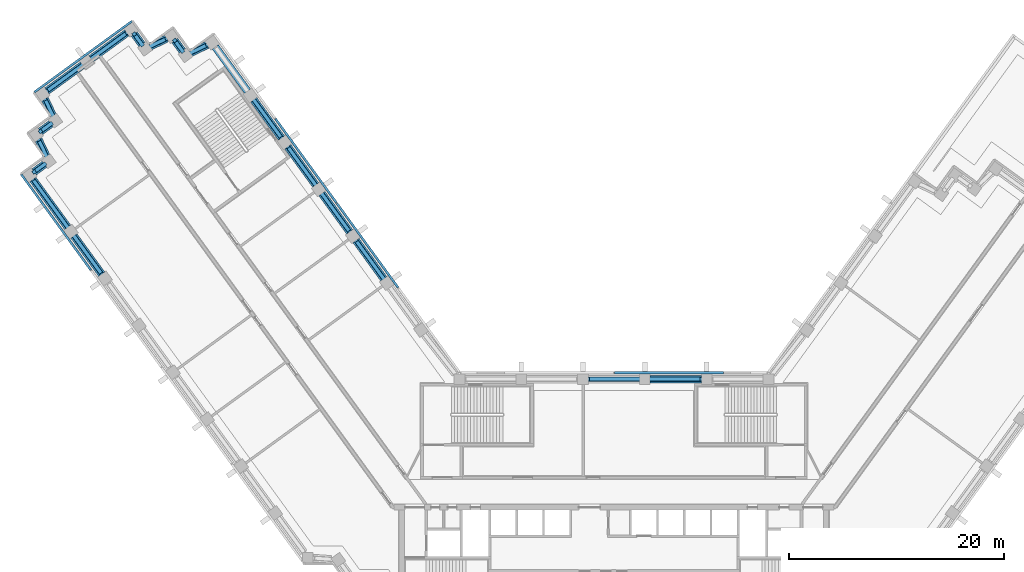
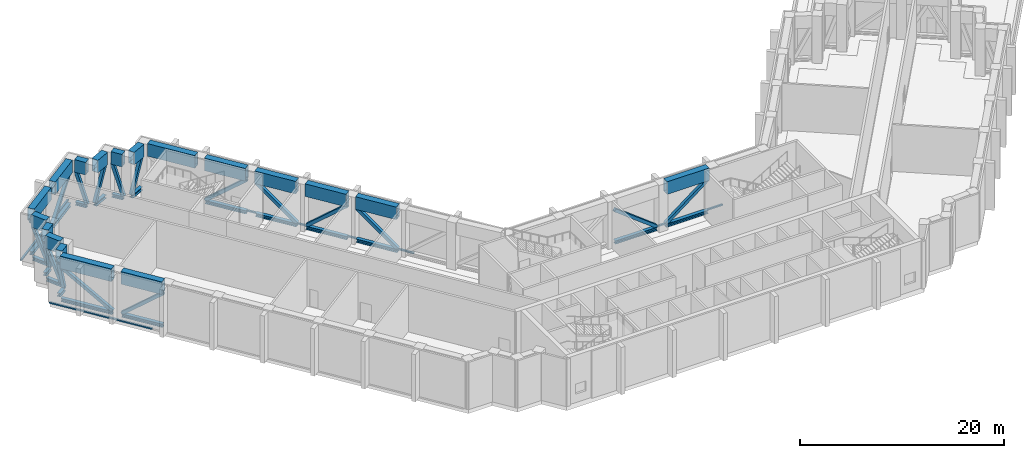
"""IFC4 building model written with IfcOpenShell, lengths in metres."""

from ifc_helpers import new_model, si_unit, direction, frame, origin, origin_2d, place, context, subcontext, project, spatial, rectangle, hollow_rectangle, i_section, extrude, material, material_profile, profile_set, type_object, element, aggregate, save


model = new_model("IFC4")

# Units and contexts
model_context = context("Model", 3, precision=1e-05, world=origin(), true_north=direction((0.0, 1.0)))
body_context = subcontext(model_context, "Body", "Model", "MODEL_VIEW")
ifc_project = project(units=[si_unit("LENGTHUNIT", "METRE"), si_unit("AREAUNIT", "SQUARE_METRE"), si_unit("VOLUMEUNIT", "CUBIC_METRE"), si_unit("PLANEANGLEUNIT", "RADIAN"), si_unit("MASSUNIT", "GRAM", prefix="KILO")], contexts=[model_context])

# Site, building, storey
site_placement = place(None, origin())
site = spatial("IfcSite", under=ifc_project, at=site_placement, CompositionType="ELEMENT")
building_placement = place(site_placement, origin())
building = spatial("IfcBuilding", under=site, at=building_placement, Name="Quipu Civic Tower", CompositionType="ELEMENT")
storey_1_placement = place(building_placement, frame((0.0, 0.0, 79.0)))
storey_1 = spatial("IfcBuildingStorey", under=building, at=storey_1_placement, Name="L18", CompositionType="ELEMENT", Elevation=79.0)

# Beams
ifc_material_1 = material(Name="Steel ASTM A992 Grade 50 (fy 345 MPa)", Category="steel")
ifc_material_profile_1 = material_profile(ifc_material_1, i_section(OverallWidth=0.403564453125, OverallDepth=0.407470703125, WebThickness=0.027099609375, FlangeThickness=0.043701171875, at=origin_2d()), Name="W360x347")
ifc_profile_set_1 = profile_set([ifc_material_profile_1], Name="Steel ASTM A992 Grade 50 (fy 345 MPa)")
beam_type_1 = type_object("IfcBeamType", Name="Belt truss bottom chord W360x347", PredefinedType="BEAM", material=ifc_profile_set_1)
for number, where, z_axis, x_axis, name in (
    (1, (-21.441162109375, 19.848388671875, 0.3037109375), (-0.587759228046, 0.809035901457, 0.0), (-0.809035901457, -0.587759228046, 0.0), "Truss bottom chord L18 W-IN-02 to W-IN-03"),
    (2, (-24.615234375, 24.217041015625, 0.3037109375), (-0.587732844487, 0.809055068281, 0.0), (-0.809055068281, -0.587732844487, 0.0), "Truss bottom chord L18 W-IN-03 to W-IN-04"),
    (3, (-27.7890625, 28.5859375, 0.3037109375), (-0.587759228046, 0.809035901457, 0.0), (-0.809035901457, -0.587759228046, 0.0), "Truss bottom chord L18 W-IN-04 to W-IN-05"),
    (4, (-30.962890625, 32.954833984375, 0.3037109375), (-0.587759228046, 0.809035901457, 0.0), (-0.809035901457, -0.587759228046, 0.0), "Truss bottom chord L18 W-IN-05 to W-IN-06"),
):
    element("IfcBeam", number, at=place(storey_1_placement, frame(where, z_axis=z_axis, x_axis=x_axis)), inside=storey_1, type_object=beam_type_1, Name=name, PredefinedType="BEAM", context=body_context, shape_type="SweptSolid", body=[
        extrude(i_section(OverallWidth=0.403564453125, OverallDepth=0.407470703125, WebThickness=0.027099609375, FlangeThickness=0.043701171875, at=origin_2d()), origin(), (0.0, 0.0, 1.0), 4.400146484375),
    ])
beam_1_placement = place(storey_1_placement, frame((-37.8837890625, 41.630859375, 0.3037109375), z_axis=(-0.902482283387, -0.43072697637, 0.0), x_axis=(0.43072697637, -0.902482283387, 0.0)))
element("IfcBeam", 5, at=beam_1_placement, inside=storey_1, type_object=beam_type_1, Name="Truss bottom chord L18 T-Wi.0-W50 to T-Wi.1-W50", PredefinedType="BEAM", context=body_context, shape_type="SweptSolid", body=[
    extrude(i_section(OverallWidth=0.403564453125, OverallDepth=0.407470703125, WebThickness=0.027099609375, FlangeThickness=0.043701171875, at=origin_2d()), origin(), (0.0, 0.0, 1.0), 1.731689453125),
])
beam_2_placement = place(storey_1_placement, frame((-40.19970703125, 41.0703125, 0.3037109375), z_axis=(-0.588316837584, 0.808630508091, 0.0), x_axis=(-0.808630508091, -0.588316837584, 0.0)))
element("IfcBeam", 6, at=beam_2_placement, inside=storey_1, type_object=beam_type_1, Name="Truss bottom chord L18 T-Wi.1-W50 to T-Wi.2-W50", PredefinedType="BEAM", context=body_context, shape_type="SweptSolid", body=[
    extrude(i_section(OverallWidth=0.403564453125, OverallDepth=0.407470703125, WebThickness=0.027099609375, FlangeThickness=0.043701171875, at=origin_2d()), origin(), (0.0, 0.0, 1.0), 1.2001953125),
])
beam_3_placement = place(storey_1_placement, frame((-41.658935546875, 42.22607421875, 0.3037109375), z_axis=(-0.902651065962, -0.430373155666, 0.0), x_axis=(0.430373155666, -0.902651065962, 0.0)))
element("IfcBeam", 7, at=beam_3_placement, inside=storey_1, type_object=beam_type_1, Name="Truss bottom chord L18 T-Wi.2-W50 to T-Wi.3-W50", PredefinedType="BEAM", context=body_context, shape_type="SweptSolid", body=[
    extrude(i_section(OverallWidth=0.403564453125, OverallDepth=0.407470703125, WebThickness=0.027099609375, FlangeThickness=0.043701171875, at=origin_2d()), origin(), (0.0, 0.0, 1.0), 1.724609375),
])
beam_4_placement = place(storey_1_placement, frame((-43.96875, 41.669189453125, 0.3037109375), z_axis=(-0.588461629015, 0.808525145667, 0.0), x_axis=(-0.808525145667, -0.588461629015, 0.0)))
element("IfcBeam", 8, at=beam_4_placement, inside=storey_1, type_object=beam_type_1, Name="Truss bottom chord L18 T-Wi.3-W50 to T-Wi.4-W50", PredefinedType="BEAM", context=body_context, shape_type="SweptSolid", body=[
    extrude(i_section(OverallWidth=0.403564453125, OverallDepth=0.407470703125, WebThickness=0.027099609375, FlangeThickness=0.043701171875, at=origin_2d()), origin(), (0.0, 0.0, 1.0), 1.201416015625),
])
beam_5_placement = place(storey_1_placement, frame((-45.37451171875, 42.7509765625, 0.3037109375), z_axis=(-0.808983206573, -0.587831754401, 0.0), x_axis=(0.587831754401, -0.808983206573, 0.0)))
element("IfcBeam", 9, at=beam_5_placement, inside=storey_1, type_object=beam_type_1, Name="Truss bottom chord L18 T-Wi.4-W50 to TIP-W-01-W50", PredefinedType="BEAM", context=body_context, shape_type="SweptSolid", body=[
    extrude(i_section(OverallWidth=0.403564453125, OverallDepth=0.407470703125, WebThickness=0.027099609375, FlangeThickness=0.043701171875, at=origin_2d()), origin(), (0.0, 0.0, 1.0), 4.10009765625),
])
beam_6_placement = place(storey_1_placement, frame((-49.500244140625, 39.7529296875, 0.3037109375), z_axis=(-0.808980758408, -0.587835123589, 0.0), x_axis=(0.587835123589, -0.808980758408, 0.0)))
element("IfcBeam", 10, at=beam_6_placement, inside=storey_1, type_object=beam_type_1, Name="Truss bottom chord L18 TIP-W-01-W50 to T-Wo.0-W50", PredefinedType="BEAM", context=body_context, shape_type="SweptSolid", body=[
    extrude(i_section(OverallWidth=0.403564453125, OverallDepth=0.407470703125, WebThickness=0.027099609375, FlangeThickness=0.043701171875, at=origin_2d()), origin(), (0.0, 0.0, 1.0), 4.097900390625),
])
beam_7_placement = place(storey_1_placement, frame((-53.001220703125, 36.5908203125, 0.3037109375), z_axis=(0.430185740912, -0.902740399182, 0.0), x_axis=(0.902740399182, 0.430185740912, 0.0)))
element("IfcBeam", 11, at=beam_7_placement, inside=storey_1, type_object=beam_type_1, Name="Truss bottom chord L18 T-Wo.0-W50 to T-Wo.1-W50", PredefinedType="BEAM", context=body_context, shape_type="SweptSolid", body=[
    extrude(i_section(OverallWidth=0.403564453125, OverallDepth=0.407470703125, WebThickness=0.027099609375, FlangeThickness=0.043701171875, at=origin_2d()), origin(), (0.0, 0.0, 1.0), 1.728759765625),
])
beam_8_placement = place(storey_1_placement, frame((-52.443115234375, 34.27685546875, 0.3037109375), z_axis=(-0.808586856323, -0.588376831446, 0.0), x_axis=(0.588376831446, -0.808586856323, 0.0)))
element("IfcBeam", 12, at=beam_8_placement, inside=storey_1, type_object=beam_type_1, Name="Truss bottom chord L18 T-Wo.1-W50 to T-Wo.2-W50", PredefinedType="BEAM", context=body_context, shape_type="SweptSolid", body=[
    extrude(i_section(OverallWidth=0.403564453125, OverallDepth=0.407470703125, WebThickness=0.027099609375, FlangeThickness=0.043701171875, at=origin_2d()), origin(), (0.0, 0.0, 1.0), 1.202880859375),
])
beam_9_placement = place(storey_1_placement, frame((-53.6005859375, 32.81640625, 0.3037109375), z_axis=(0.431370473785, -0.902174880135, 0.0), x_axis=(0.902174880135, 0.431370473785, 0.0)))
element("IfcBeam", 13, at=beam_9_placement, inside=storey_1, type_object=beam_type_1, Name="Truss bottom chord L18 T-Wo.2-W50 to T-Wo.3-W50", PredefinedType="BEAM", context=body_context, shape_type="SweptSolid", body=[
    extrude(i_section(OverallWidth=0.403564453125, OverallDepth=0.407470703125, WebThickness=0.027099609375, FlangeThickness=0.043701171875, at=origin_2d()), origin(), (0.0, 0.0, 1.0), 1.727294921875),
])
beam_10_placement = place(storey_1_placement, frame((-53.040283203125, 30.50537109375, 0.3037109375), z_axis=(-0.808630508091, -0.588316837584, 0.0), x_axis=(0.588316837584, -0.808630508091, 0.0)))
element("IfcBeam", 14, at=beam_10_placement, inside=storey_1, type_object=beam_type_1, Name="Truss bottom chord L18 T-Wo.3-W50 to T-Wo.4-W50", PredefinedType="BEAM", context=body_context, shape_type="SweptSolid", body=[
    extrude(i_section(OverallWidth=0.403564453125, OverallDepth=0.407470703125, WebThickness=0.027099609375, FlangeThickness=0.043701171875, at=origin_2d()), origin(), (0.0, 0.0, 1.0), 1.2001953125),
])
beam_11_placement = place(storey_1_placement, frame((-54.12109375, 29.1005859375, 0.3037109375), z_axis=(0.587765432916, -0.809031393624, 0.0), x_axis=(0.809031393624, 0.587765432916, 0.0)))
element("IfcBeam", 15, at=beam_11_placement, inside=storey_1, type_object=beam_type_1, Name="Truss bottom chord L18 T-Wo.4-W50 to W-OUT-07", PredefinedType="BEAM", context=body_context, shape_type="SweptSolid", body=[
    extrude(i_section(OverallWidth=0.403564453125, OverallDepth=0.407470703125, WebThickness=0.027099609375, FlangeThickness=0.043701171875, at=origin_2d()), origin(), (0.0, 0.0, 1.0), 5.503662109375),
])
beam_12_placement = place(storey_1_placement, frame((-50.298583984375, 23.839111328125, 0.3037109375), z_axis=(0.587759228046, -0.809035901457, 0.0), x_axis=(0.809035901457, 0.587759228046, 0.0)))
element("IfcBeam", 16, at=beam_12_placement, inside=storey_1, type_object=beam_type_1, Name="Truss bottom chord L18 W-OUT-07 to W-OUT-06", PredefinedType="BEAM", context=body_context, shape_type="SweptSolid", body=[
    extrude(i_section(OverallWidth=0.403564453125, OverallDepth=0.407470703125, WebThickness=0.027099609375, FlangeThickness=0.043701171875, at=origin_2d()), origin(), (0.0, 0.0, 1.0), 4.400146484375),
])
beam_13_placement = place(storey_1_placement, frame((8.13720703125, 10.5, 0.3037109375), z_axis=(-1.0, 0.0, 0.0), x_axis=(0.0, -1.0, 0.0)))
element("IfcBeam", 17, at=beam_13_placement, inside=storey_1, type_object=beam_type_1, Name="Truss bottom chord L18 FRONT-01 to FRONT-02", PredefinedType="BEAM", context=body_context, shape_type="SweptSolid", body=[
    extrude(i_section(OverallWidth=0.403564453125, OverallDepth=0.407470703125, WebThickness=0.027099609375, FlangeThickness=0.043701171875, at=origin_2d()), origin(), (0.0, 0.0, 1.0), 4.75830078125),
])
beam_14_placement = place(storey_1_placement, frame((2.37890625, 10.5, 0.3037109375), z_axis=(-1.0, 0.0, 0.0), x_axis=(0.0, -1.0, 0.0)))
element("IfcBeam", 18, at=beam_14_placement, inside=storey_1, type_object=beam_type_1, Name="Truss bottom chord L18 FRONT-02 to FRONT-03", PredefinedType="BEAM", context=body_context, shape_type="SweptSolid", body=[
    extrude(i_section(OverallWidth=0.403564453125, OverallDepth=0.407470703125, WebThickness=0.027099609375, FlangeThickness=0.043701171875, at=origin_2d()), origin(), (0.0, 0.0, 1.0), 4.7578125),
])

# Members
ifc_material_2 = material(Name="Steel ASTM A500 Grade C (fy 345 MPa)", Category="steel")
ifc_material_profile_2 = material_profile(ifc_material_2, hollow_rectangle(XDim=0.355712890625, YDim=0.355712890625, WallThickness=0.015869140625, at=origin_2d()), Name="HSS356x356x16")
ifc_profile_set_2 = profile_set([ifc_material_profile_2], Name="Steel ASTM A500 Grade C (fy 345 MPa)")
member_type_1 = type_object("IfcMemberType", Name="Belt truss diagonal HSS356x356x16", PredefinedType="BRACE", material=ifc_profile_set_2)
member_1_placement = place(storey_1_placement, frame((-21.441162109375, 19.848388671875, 0.50732421875), z_axis=(-0.452748698079, 0.623197278079, 0.637686262187), x_axis=(-0.809035901457, -0.587759228046, 0.0)))
element("IfcMember", 19, at=member_1_placement, inside=storey_1, type_object=member_type_1, Name="Truss diagonal L18 W-IN-02 to W-IN-03", PredefinedType="BRACE", context=body_context, shape_type="SweptSolid", body=[
    extrude(hollow_rectangle(XDim=0.355712890625, YDim=0.355712890625, WallThickness=0.015869140625, at=origin_2d()), origin(), (0.0, 0.0, 1.0), 5.712158203125),
])
member_2_placement = place(storey_1_placement, frame((-24.615234375, 24.217041015625, 4.14990234375), z_axis=(-0.452736638878, 0.623223418118, -0.637669277076), x_axis=(-0.809055068281, -0.587732844487, 0.0)))
element("IfcMember", 20, at=member_2_placement, inside=storey_1, type_object=member_type_1, Name="Truss diagonal L18 W-IN-03 to W-IN-04", PredefinedType="BRACE", context=body_context, shape_type="SweptSolid", body=[
    extrude(hollow_rectangle(XDim=0.355712890625, YDim=0.355712890625, WallThickness=0.015869140625, at=origin_2d()), origin(), (0.0, 0.0, 1.0), 5.71240234375),
])
for number, where, z_axis, x_axis, name in (
    (21, (-27.7890625, 28.5859375, 0.50732421875), (-0.452748698079, 0.623197278079, 0.637686262187), (-0.809035901457, -0.587759228046, 0.0), "Truss diagonal L18 W-IN-04 to W-IN-05"),
    (22, (-30.962890625, 32.954833984375, 4.14990234375), (-0.452748698079, 0.623197278079, -0.637686262187), (-0.809035901457, -0.587759228046, 0.0), "Truss diagonal L18 W-IN-05 to W-IN-06"),
):
    element("IfcMember", number, at=place(storey_1_placement, frame(where, z_axis=z_axis, x_axis=x_axis)), inside=storey_1, type_object=member_type_1, Name=name, PredefinedType="BRACE", context=body_context, shape_type="SweptSolid", body=[
        extrude(hollow_rectangle(XDim=0.355712890625, YDim=0.355712890625, WallThickness=0.015869140625, at=origin_2d()), origin(), (0.0, 0.0, 1.0), 5.712158203125),
    ])
member_3_placement = place(storey_1_placement, frame((-37.876220703125, 41.634521484375, 4.14990234375), z_axis=(-0.39057086608, -0.186403329495, -0.901503298564), x_axis=(0.430719248518, -0.902485971612, 0.0)))
element("IfcMember", 23, at=member_3_placement, inside=storey_1, type_object=member_type_1, Name="Truss diagonal L18 T-Wi.0-W50 to T-Wi.1-W50", PredefinedType="BRACE", context=body_context, shape_type="SweptSolid", body=[
    extrude(hollow_rectangle(XDim=0.355712890625, YDim=0.355712890625, WallThickness=0.015869140625, at=origin_2d()), origin(), (0.0, 0.0, 1.0), 4.04052734375),
])
member_4_placement = place(storey_1_placement, frame((-40.19970703125, 41.0703125, 0.50732421875), z_axis=(-0.18409903065, 0.253040680095, 0.949777848305), x_axis=(-0.808630508091, -0.588316837584, 0.0)))
element("IfcMember", 24, at=member_4_placement, inside=storey_1, type_object=member_type_1, Name="Truss diagonal L18 T-Wi.1-W50 to T-Wi.2-W50", PredefinedType="BRACE", context=body_context, shape_type="SweptSolid", body=[
    extrude(hollow_rectangle(XDim=0.355712890625, YDim=0.355712890625, WallThickness=0.015869140625, at=origin_2d()), origin(), (0.0, 0.0, 1.0), 3.835205078125),
])
member_5_placement = place(storey_1_placement, frame((-41.6513671875, 42.229736328125, 4.14990234375), z_axis=(-0.389355303619, -0.185637642819, -0.902186850443), x_axis=(0.430368856287, -0.902653115841, 0.0)))
element("IfcMember", 25, at=member_5_placement, inside=storey_1, type_object=member_type_1, Name="Truss diagonal L18 T-Wi.2-W50 to T-Wi.3-W50", PredefinedType="BRACE", context=body_context, shape_type="SweptSolid", body=[
    extrude(hollow_rectangle(XDim=0.355712890625, YDim=0.355712890625, WallThickness=0.015869140625, at=origin_2d()), origin(), (0.0, 0.0, 1.0), 4.03759765625),
])
member_6_placement = place(storey_1_placement, frame((-43.96875, 41.669189453125, 0.50732421875), z_axis=(-0.184333133885, 0.25326710626, 0.949672084795), x_axis=(-0.808525145667, -0.588461629015, 0.0)))
element("IfcMember", 26, at=member_6_placement, inside=storey_1, type_object=member_type_1, Name="Truss diagonal L18 T-Wi.3-W50 to T-Wi.4-W50", PredefinedType="BRACE", context=body_context, shape_type="SweptSolid", body=[
    extrude(hollow_rectangle(XDim=0.355712890625, YDim=0.355712890625, WallThickness=0.015869140625, at=origin_2d()), origin(), (0.0, 0.0, 1.0), 3.835693359375),
])
member_7_placement = place(storey_1_placement, frame((-45.37451171875, 42.7509765625, 4.14990234375), z_axis=(-0.604783364024, -0.439453950364, -0.664166626766), x_axis=(0.587831754401, -0.808983206573, 0.0)))
element("IfcMember", 27, at=member_7_placement, inside=storey_1, type_object=member_type_1, Name="Truss diagonal L18 T-Wi.4-W50 to TIP-W-01-W50", PredefinedType="BRACE", context=body_context, shape_type="SweptSolid", body=[
    extrude(hollow_rectangle(XDim=0.355712890625, YDim=0.355712890625, WallThickness=0.015869140625, at=origin_2d()), origin(), (0.0, 0.0, 1.0), 5.484375),
])
member_8_placement = place(storey_1_placement, frame((-49.500244140625, 39.7529296875, 0.50732421875), z_axis=(-0.604644827513, -0.439357133299, 0.664356788165), x_axis=(0.587835123589, -0.808980758408, 0.0)))
element("IfcMember", 28, at=member_8_placement, inside=storey_1, type_object=member_type_1, Name="Truss diagonal L18 TIP-W-01-W50 to T-Wo.0-W50", PredefinedType="BRACE", context=body_context, shape_type="SweptSolid", body=[
    extrude(hollow_rectangle(XDim=0.355712890625, YDim=0.355712890625, WallThickness=0.015869140625, at=origin_2d()), origin(), (0.0, 0.0, 1.0), 5.48291015625),
])
member_9_placement = place(storey_1_placement, frame((-53.0048828125, 36.5986328125, 4.14990234375), z_axis=(0.185913430598, -0.390200620266, -0.901764754394), x_axis=(0.902767447415, 0.430128975875, 0.0)))
element("IfcMember", 29, at=member_9_placement, inside=storey_1, type_object=member_type_1, Name="Truss diagonal L18 T-Wo.0-W50 to T-Wo.1-W50", PredefinedType="BRACE", context=body_context, shape_type="SweptSolid", body=[
    extrude(hollow_rectangle(XDim=0.355712890625, YDim=0.355712890625, WallThickness=0.015869140625, at=origin_2d()), origin(), (0.0, 0.0, 1.0), 4.039306640625),
])
member_10_placement = place(storey_1_placement, frame((-52.443115234375, 34.27685546875, 0.50732421875), z_axis=(-0.253555982831, -0.184502709394, 0.949562064215), x_axis=(0.588376831446, -0.808586856323, 0.0)))
element("IfcMember", 30, at=member_10_placement, inside=storey_1, type_object=member_type_1, Name="Truss diagonal L18 T-Wo.1-W50 to T-Wo.2-W50", PredefinedType="BRACE", context=body_context, shape_type="SweptSolid", body=[
    extrude(hollow_rectangle(XDim=0.355712890625, YDim=0.355712890625, WallThickness=0.015869140625, at=origin_2d()), origin(), (0.0, 0.0, 1.0), 3.836181640625),
])
member_11_placement = place(storey_1_placement, frame((-53.604248046875, 32.823974609375, 4.14990234375), z_axis=(0.186311792688, -0.389610481465, -0.901937685563), x_axis=(0.902155540197, 0.4314109193, 0.0)))
element("IfcMember", 31, at=member_11_placement, inside=storey_1, type_object=member_type_1, Name="Truss diagonal L18 T-Wo.2-W50 to T-Wo.3-W50", PredefinedType="BRACE", context=body_context, shape_type="SweptSolid", body=[
    extrude(hollow_rectangle(XDim=0.355712890625, YDim=0.355712890625, WallThickness=0.015869140625, at=origin_2d()), origin(), (0.0, 0.0, 1.0), 4.03857421875),
])
member_12_placement = place(storey_1_placement, frame((-53.040283203125, 30.50537109375, 0.50732421875), z_axis=(-0.253040680095, -0.18409903065, 0.949777848305), x_axis=(0.588316837584, -0.808630508091, 0.0)))
element("IfcMember", 32, at=member_12_placement, inside=storey_1, type_object=member_type_1, Name="Truss diagonal L18 T-Wo.3-W50 to T-Wo.4-W50", PredefinedType="BRACE", context=body_context, shape_type="SweptSolid", body=[
    extrude(hollow_rectangle(XDim=0.355712890625, YDim=0.355712890625, WallThickness=0.015869140625, at=origin_2d()), origin(), (0.0, 0.0, 1.0), 3.835205078125),
])
member_13_placement = place(storey_1_placement, frame((-54.12109375, 29.1005859375, 4.14990234375), z_axis=(0.490138172603, -0.674652074863, -0.551914078131), x_axis=(0.809031393624, 0.587765432916, 0.0)))
element("IfcMember", 33, at=member_13_placement, inside=storey_1, type_object=member_type_1, Name="Truss diagonal L18 T-Wo.4-W50 to W-OUT-07", PredefinedType="BRACE", context=body_context, shape_type="SweptSolid", body=[
    extrude(hollow_rectangle(XDim=0.355712890625, YDim=0.355712890625, WallThickness=0.015869140625, at=origin_2d()), origin(), (0.0, 0.0, 1.0), 6.599853515625),
])
member_14_placement = place(storey_1_placement, frame((-50.298583984375, 23.839111328125, 0.50732421875), z_axis=(0.452748698079, -0.623197278079, 0.637686262187), x_axis=(0.809035901457, 0.587759228046, 0.0)))
element("IfcMember", 34, at=member_14_placement, inside=storey_1, type_object=member_type_1, Name="Truss diagonal L18 W-OUT-07 to W-OUT-06", PredefinedType="BRACE", context=body_context, shape_type="SweptSolid", body=[
    extrude(hollow_rectangle(XDim=0.355712890625, YDim=0.355712890625, WallThickness=0.015869140625, at=origin_2d()), origin(), (0.0, 0.0, 1.0), 5.712158203125),
])
member_15_placement = place(storey_1_placement, frame((8.13720703125, 10.5, 4.14990234375), z_axis=(-0.794045497642, 0.0, -0.607858328621), x_axis=(0.0, -1.0, 0.0)))
element("IfcMember", 35, at=member_15_placement, inside=storey_1, type_object=member_type_1, Name="Truss diagonal L18 FRONT-01 to FRONT-02", PredefinedType="BRACE", context=body_context, shape_type="SweptSolid", body=[
    extrude(hollow_rectangle(XDim=0.355712890625, YDim=0.355712890625, WallThickness=0.015869140625, at=origin_2d()), origin(), (0.0, 0.0, 1.0), 5.992431640625),
])
member_16_placement = place(storey_1_placement, frame((2.37890625, 10.5, 0.50732421875), z_axis=(-0.794015387664, 0.0, 0.607897659275), x_axis=(0.0, -1.0, 0.0)))
element("IfcMember", 36, at=member_16_placement, inside=storey_1, type_object=member_type_1, Name="Truss diagonal L18 FRONT-02 to FRONT-03", PredefinedType="BRACE", context=body_context, shape_type="SweptSolid", body=[
    extrude(hollow_rectangle(XDim=0.355712890625, YDim=0.355712890625, WallThickness=0.015869140625, at=origin_2d()), origin(), (0.0, 0.0, 1.0), 5.9921875),
])

# Beams
ifc_material_3 = material(Name="Steel ASTM A572 Grade 50 (fy 345 MPa)", Category="steel")
ifc_material_profile_3 = material_profile(ifc_material_3, hollow_rectangle(XDim=0.699951171875, YDim=1.5, WallThickness=0.050048828125, at=origin_2d()), Name="BX1500x700x50")
ifc_profile_set_3 = profile_set([ifc_material_profile_3], Name="Steel ASTM A572 Grade 50 (fy 345 MPa)")
beam_type_2 = type_object("IfcBeamType", Name="Belt truss top chord BX1500x700x50", PredefinedType="BEAM", material=ifc_profile_set_3)
for number, where, z_axis, x_axis, name in (
    (37, (-21.441162109375, 19.848388671875, 4.89990234375), (-0.587759228046, 0.809035901457, 0.0), (-0.809035901457, -0.587759228046, 0.0), "Truss top chord L18 W-IN-02 to W-IN-03"),
    (38, (-24.615234375, 24.217041015625, 4.89990234375), (-0.587732844487, 0.809055068281, 0.0), (-0.809055068281, -0.587732844487, 0.0), "Truss top chord L18 W-IN-03 to W-IN-04"),
    (39, (-27.7890625, 28.5859375, 4.89990234375), (-0.587759228046, 0.809035901457, 0.0), (-0.809035901457, -0.587759228046, 0.0), "Truss top chord L18 W-IN-04 to W-IN-05"),
    (40, (-30.962890625, 32.954833984375, 4.89990234375), (-0.587759228046, 0.809035901457, 0.0), (-0.809035901457, -0.587759228046, 0.0), "Truss top chord L18 W-IN-05 to W-IN-06"),
):
    element("IfcBeam", number, at=place(storey_1_placement, frame(where, z_axis=z_axis, x_axis=x_axis)), inside=storey_1, type_object=beam_type_2, Name=name, PredefinedType="BEAM", context=body_context, shape_type="SweptSolid", body=[
        extrude(hollow_rectangle(XDim=0.699951171875, YDim=1.5, WallThickness=0.050048828125, at=origin_2d()), origin(), (0.0, 0.0, 1.0), 4.400146484375),
    ])
beam_15_placement = place(storey_1_placement, frame((-34.13671875, 37.32373046875, 4.89990234375), z_axis=(-0.587747065363, 0.809044737426, 0.0), x_axis=(-0.809044737426, -0.587747065363, 0.0)))
element("IfcBeam", 41, at=beam_15_placement, inside=storey_1, type_object=beam_type_2, Name="Truss top chord L18 W-IN-06 to T-Wi.0-W50", PredefinedType="BEAM", context=body_context, shape_type="SweptSolid", body=[
    extrude(hollow_rectangle(XDim=0.699951171875, YDim=1.5, WallThickness=0.050048828125, at=origin_2d()), origin(), (0.0, 0.0, 1.0), 5.0947265625),
])
beam_16_placement = place(storey_1_placement, frame((-37.8837890625, 41.630859375, 4.89990234375), z_axis=(-0.902482283387, -0.43072697637, 0.0), x_axis=(0.43072697637, -0.902482283387, 0.0)))
element("IfcBeam", 42, at=beam_16_placement, inside=storey_1, type_object=beam_type_2, Name="Truss top chord L18 T-Wi.0-W50 to T-Wi.1-W50", PredefinedType="BEAM", context=body_context, shape_type="SweptSolid", body=[
    extrude(hollow_rectangle(XDim=0.699951171875, YDim=1.5, WallThickness=0.050048828125, at=origin_2d()), origin(), (0.0, 0.0, 1.0), 1.731689453125),
])
beam_17_placement = place(storey_1_placement, frame((-40.19970703125, 41.0703125, 4.89990234375), z_axis=(-0.588316837584, 0.808630508091, 0.0), x_axis=(-0.808630508091, -0.588316837584, 0.0)))
element("IfcBeam", 43, at=beam_17_placement, inside=storey_1, type_object=beam_type_2, Name="Truss top chord L18 T-Wi.1-W50 to T-Wi.2-W50", PredefinedType="BEAM", context=body_context, shape_type="SweptSolid", body=[
    extrude(hollow_rectangle(XDim=0.699951171875, YDim=1.5, WallThickness=0.050048828125, at=origin_2d()), origin(), (0.0, 0.0, 1.0), 1.2001953125),
])
beam_18_placement = place(storey_1_placement, frame((-41.658935546875, 42.22607421875, 4.89990234375), z_axis=(-0.902651065962, -0.430373155666, 0.0), x_axis=(0.430373155666, -0.902651065962, 0.0)))
element("IfcBeam", 44, at=beam_18_placement, inside=storey_1, type_object=beam_type_2, Name="Truss top chord L18 T-Wi.2-W50 to T-Wi.3-W50", PredefinedType="BEAM", context=body_context, shape_type="SweptSolid", body=[
    extrude(hollow_rectangle(XDim=0.699951171875, YDim=1.5, WallThickness=0.050048828125, at=origin_2d()), origin(), (0.0, 0.0, 1.0), 1.724609375),
])
beam_19_placement = place(storey_1_placement, frame((-43.96875, 41.669189453125, 4.89990234375), z_axis=(-0.588461629015, 0.808525145667, 0.0), x_axis=(-0.808525145667, -0.588461629015, 0.0)))
element("IfcBeam", 45, at=beam_19_placement, inside=storey_1, type_object=beam_type_2, Name="Truss top chord L18 T-Wi.3-W50 to T-Wi.4-W50", PredefinedType="BEAM", context=body_context, shape_type="SweptSolid", body=[
    extrude(hollow_rectangle(XDim=0.699951171875, YDim=1.5, WallThickness=0.050048828125, at=origin_2d()), origin(), (0.0, 0.0, 1.0), 1.201416015625),
])
beam_20_placement = place(storey_1_placement, frame((-45.37451171875, 42.7509765625, 4.89990234375), z_axis=(-0.808983206573, -0.587831754401, 0.0), x_axis=(0.587831754401, -0.808983206573, 0.0)))
element("IfcBeam", 46, at=beam_20_placement, inside=storey_1, type_object=beam_type_2, Name="Truss top chord L18 T-Wi.4-W50 to TIP-W-01-W50", PredefinedType="BEAM", context=body_context, shape_type="SweptSolid", body=[
    extrude(hollow_rectangle(XDim=0.699951171875, YDim=1.5, WallThickness=0.050048828125, at=origin_2d()), origin(), (0.0, 0.0, 1.0), 4.10009765625),
])
beam_21_placement = place(storey_1_placement, frame((-49.500244140625, 39.7529296875, 4.89990234375), z_axis=(-0.808980758408, -0.587835123589, 0.0), x_axis=(0.587835123589, -0.808980758408, 0.0)))
element("IfcBeam", 47, at=beam_21_placement, inside=storey_1, type_object=beam_type_2, Name="Truss top chord L18 TIP-W-01-W50 to T-Wo.0-W50", PredefinedType="BEAM", context=body_context, shape_type="SweptSolid", body=[
    extrude(hollow_rectangle(XDim=0.699951171875, YDim=1.5, WallThickness=0.050048828125, at=origin_2d()), origin(), (0.0, 0.0, 1.0), 4.097900390625),
])
beam_22_placement = place(storey_1_placement, frame((-53.001220703125, 36.5908203125, 4.89990234375), z_axis=(0.430185740912, -0.902740399182, 0.0), x_axis=(0.902740399182, 0.430185740912, 0.0)))
element("IfcBeam", 48, at=beam_22_placement, inside=storey_1, type_object=beam_type_2, Name="Truss top chord L18 T-Wo.0-W50 to T-Wo.1-W50", PredefinedType="BEAM", context=body_context, shape_type="SweptSolid", body=[
    extrude(hollow_rectangle(XDim=0.699951171875, YDim=1.5, WallThickness=0.050048828125, at=origin_2d()), origin(), (0.0, 0.0, 1.0), 1.728759765625),
])
beam_23_placement = place(storey_1_placement, frame((-52.443115234375, 34.27685546875, 4.89990234375), z_axis=(-0.808586856323, -0.588376831446, 0.0), x_axis=(0.588376831446, -0.808586856323, 0.0)))
element("IfcBeam", 49, at=beam_23_placement, inside=storey_1, type_object=beam_type_2, Name="Truss top chord L18 T-Wo.1-W50 to T-Wo.2-W50", PredefinedType="BEAM", context=body_context, shape_type="SweptSolid", body=[
    extrude(hollow_rectangle(XDim=0.699951171875, YDim=1.5, WallThickness=0.050048828125, at=origin_2d()), origin(), (0.0, 0.0, 1.0), 1.202880859375),
])
beam_24_placement = place(storey_1_placement, frame((-53.6005859375, 32.81640625, 4.89990234375), z_axis=(0.431370473785, -0.902174880135, 0.0), x_axis=(0.902174880135, 0.431370473785, 0.0)))
element("IfcBeam", 50, at=beam_24_placement, inside=storey_1, type_object=beam_type_2, Name="Truss top chord L18 T-Wo.2-W50 to T-Wo.3-W50", PredefinedType="BEAM", context=body_context, shape_type="SweptSolid", body=[
    extrude(hollow_rectangle(XDim=0.699951171875, YDim=1.5, WallThickness=0.050048828125, at=origin_2d()), origin(), (0.0, 0.0, 1.0), 1.727294921875),
])
beam_25_placement = place(storey_1_placement, frame((-53.040283203125, 30.50537109375, 4.89990234375), z_axis=(-0.808630508091, -0.588316837584, 0.0), x_axis=(0.588316837584, -0.808630508091, 0.0)))
element("IfcBeam", 51, at=beam_25_placement, inside=storey_1, type_object=beam_type_2, Name="Truss top chord L18 T-Wo.3-W50 to T-Wo.4-W50", PredefinedType="BEAM", context=body_context, shape_type="SweptSolid", body=[
    extrude(hollow_rectangle(XDim=0.699951171875, YDim=1.5, WallThickness=0.050048828125, at=origin_2d()), origin(), (0.0, 0.0, 1.0), 1.2001953125),
])
beam_26_placement = place(storey_1_placement, frame((-54.12109375, 29.1005859375, 4.89990234375), z_axis=(0.587765432916, -0.809031393624, 0.0), x_axis=(0.809031393624, 0.587765432916, 0.0)))
element("IfcBeam", 52, at=beam_26_placement, inside=storey_1, type_object=beam_type_2, Name="Truss top chord L18 T-Wo.4-W50 to W-OUT-07", PredefinedType="BEAM", context=body_context, shape_type="SweptSolid", body=[
    extrude(hollow_rectangle(XDim=0.699951171875, YDim=1.5, WallThickness=0.050048828125, at=origin_2d()), origin(), (0.0, 0.0, 1.0), 5.503662109375),
])
beam_27_placement = place(storey_1_placement, frame((-50.298583984375, 23.839111328125, 4.89990234375), z_axis=(0.587759228046, -0.809035901457, 0.0), x_axis=(0.809035901457, 0.587759228046, 0.0)))
element("IfcBeam", 53, at=beam_27_placement, inside=storey_1, type_object=beam_type_2, Name="Truss top chord L18 W-OUT-07 to W-OUT-06", PredefinedType="BEAM", context=body_context, shape_type="SweptSolid", body=[
    extrude(hollow_rectangle(XDim=0.699951171875, YDim=1.5, WallThickness=0.050048828125, at=origin_2d()), origin(), (0.0, 0.0, 1.0), 4.400146484375),
])
beam_28_placement = place(storey_1_placement, frame((8.13720703125, 10.5, 4.89990234375), z_axis=(-1.0, 0.0, 0.0), x_axis=(0.0, -1.0, 0.0)))
element("IfcBeam", 54, at=beam_28_placement, inside=storey_1, type_object=beam_type_2, Name="Truss top chord L18 FRONT-01 to FRONT-02", PredefinedType="BEAM", context=body_context, shape_type="SweptSolid", body=[
    extrude(hollow_rectangle(XDim=0.699951171875, YDim=1.5, WallThickness=0.050048828125, at=origin_2d()), origin(), (0.0, 0.0, 1.0), 4.75830078125),
])

# Storey
storey_2_placement = place(building_placement, frame((0.0, 0.0, 71.0)))
storey_2 = spatial("IfcBuildingStorey", under=building, at=storey_2_placement, Name="L16", CompositionType="ELEMENT", Elevation=71.0)

# Curtain wall, members
ifc_material_4 = material(Name="Insulated glass unit", Category="glass")
curtain_wall_type = type_object("IfcCurtainWallType", Name="Office curtain wall CW1", PredefinedType="NOTDEFINED", material=ifc_material_4)
curtain_wall_1_placement = place(storey_2_placement, origin())
curtain_wall_1 = element("IfcCurtainWall", 55, at=curtain_wall_1_placement, inside=storey_2, type_object=curtain_wall_type, Name="Office curtain wall CW1 L15 run 1", PredefinedType="NOTDEFINED")
ifc_material_5 = material(Name="Anodised aluminium", Category="aluminium")
ifc_material_profile_4 = material_profile(ifc_material_5, rectangle(XDim=0.199951171875, YDim=0.159912109375, at=origin_2d()), Name="RECT 200x160")
ifc_profile_set_4 = profile_set([ifc_material_profile_4], Name="Anodised aluminium")
member_type_2 = type_object("IfcMemberType", Name="Transom CW1", PredefinedType="USERDEFINED", material=ifc_profile_set_4)
member_17_placement = place(storey_1_placement, frame((-20.105224609375, 19.029296875, 0.0), z_axis=(-0.587793764301, 0.80901080997, 0.0), x_axis=(-0.80901080997, -0.587793764301, 0.0)))
member_17 = element("IfcMember", 56, at=member_17_placement, inside=storey_1, type_object=member_type_2, Name="CW1 transom 2.4", ObjectType="TRANSOM", PredefinedType="USERDEFINED", context=body_context, shape_type="SweptSolid", body=[
    extrude(rectangle(XDim=0.199951171875, YDim=0.159912109375, at=origin_2d()), origin(), (0.0, 0.0, 1.0), 9.680908203125),
])
member_18_placement = place(storey_1_placement, frame((-25.842529296875, 26.926025390625, 0.0), z_axis=(-0.58778177227, 0.809019522748, 0.0), x_axis=(-0.809019522748, -0.58778177227, 0.0)))
member_18 = element("IfcMember", 57, at=member_18_placement, inside=storey_1, type_object=member_type_2, Name="CW1 transom 3.4", ObjectType="TRANSOM", PredefinedType="USERDEFINED", context=body_context, shape_type="SweptSolid", body=[
    extrude(rectangle(XDim=0.199951171875, YDim=0.159912109375, at=origin_2d()), origin(), (0.0, 0.0, 1.0), 9.68115234375),
])
aggregate(curtain_wall_1, [member_17, member_18])

# Curtain wall, member
curtain_wall_2_placement = place(storey_2_placement, origin())
curtain_wall_2 = element("IfcCurtainWall", 58, at=curtain_wall_2_placement, inside=storey_2, type_object=curtain_wall_type, Name="Office curtain wall CW1 L15 run 6", PredefinedType="NOTDEFINED")
member_19_placement = place(storey_1_placement, frame((-44.9013671875, 43.8349609375, 0.0), z_axis=(-0.809032792449, -0.587763507495, 0.0), x_axis=(0.587763507495, -0.809032792449, 0.0)))
member_19 = element("IfcMember", 59, at=member_19_placement, inside=storey_1, type_object=member_type_2, Name="CW1 transom 1.4", ObjectType="TRANSOM", PredefinedType="USERDEFINED", context=body_context, shape_type="SweptSolid", body=[
    extrude(rectangle(XDim=0.199951171875, YDim=0.159912109375, at=origin_2d()), origin(), (0.0, 0.0, 1.0), 11.239990234375),
])
aggregate(curtain_wall_2, [member_19])

curtain_wall_3_placement = place(storey_2_placement, origin())
curtain_wall_3 = element("IfcCurtainWall", 60, at=curtain_wall_3_placement, inside=storey_2, type_object=curtain_wall_type, Name="Office curtain wall CW1 L15 run 8", PredefinedType="NOTDEFINED")
member_20_placement = place(storey_1_placement, frame((-55.20703125, 29.573974609375, 0.0), z_axis=(0.587779179422, -0.809021406539, 0.0), x_axis=(0.809021406539, 0.587779179422, 0.0)))
member_20 = element("IfcMember", 61, at=member_20_placement, inside=storey_1, type_object=member_type_2, Name="CW1 transom 1.4", ObjectType="TRANSOM", PredefinedType="USERDEFINED", context=body_context, shape_type="SweptSolid", body=[
    extrude(rectangle(XDim=0.199951171875, YDim=0.159912109375, at=origin_2d()), origin(), (0.0, 0.0, 1.0), 11.02294921875),
])
aggregate(curtain_wall_3, [member_20])

curtain_wall_4_placement = place(storey_2_placement, origin())
curtain_wall_4 = element("IfcCurtainWall", 62, at=curtain_wall_4_placement, inside=storey_2, type_object=curtain_wall_type, Name="Office curtain wall CW1 L15 run 33", PredefinedType="NOTDEFINED")
member_21_placement = place(storey_1_placement, frame((10.18359375, 11.10009765625, 0.0), z_axis=(-1.0, 0.0, 0.0), x_axis=(0.0, -1.0, 0.0)))
member_21 = element("IfcMember", 63, at=member_21_placement, inside=storey_1, type_object=member_type_2, Name="CW1 transom 1.4", ObjectType="TRANSOM", PredefinedType="USERDEFINED", context=body_context, shape_type="SweptSolid", body=[
    extrude(rectangle(XDim=0.199951171875, YDim=0.159912109375, at=origin_2d()), origin(), (0.0, 0.0, 1.0), 10.1435546875),
])
aggregate(curtain_wall_4, [member_21])

save(model, "model.ifc")
